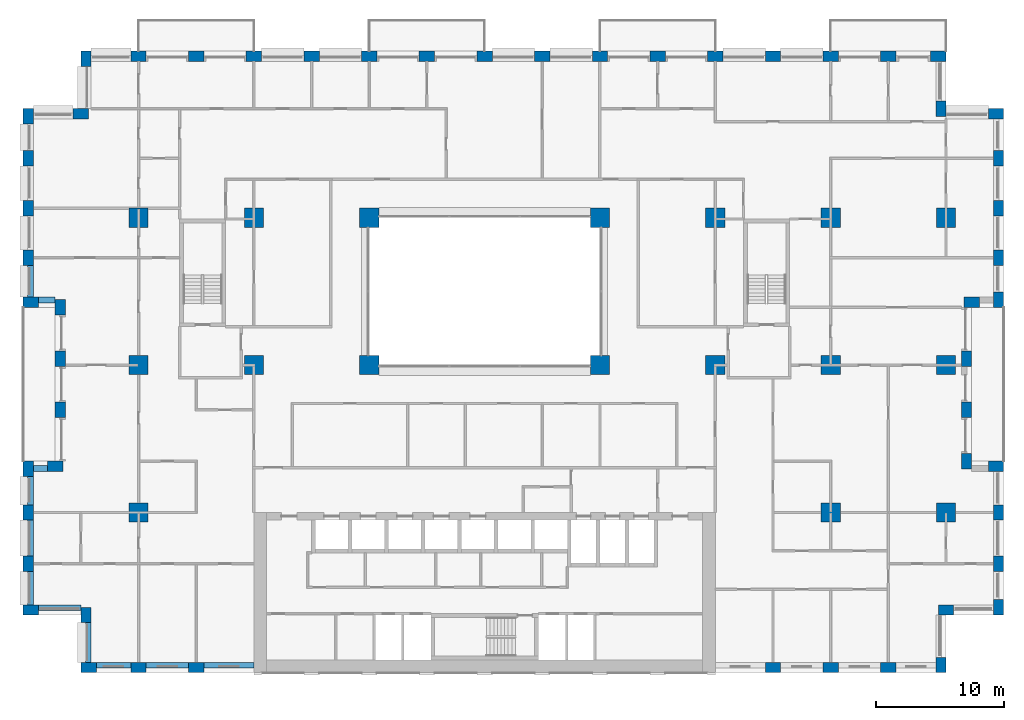
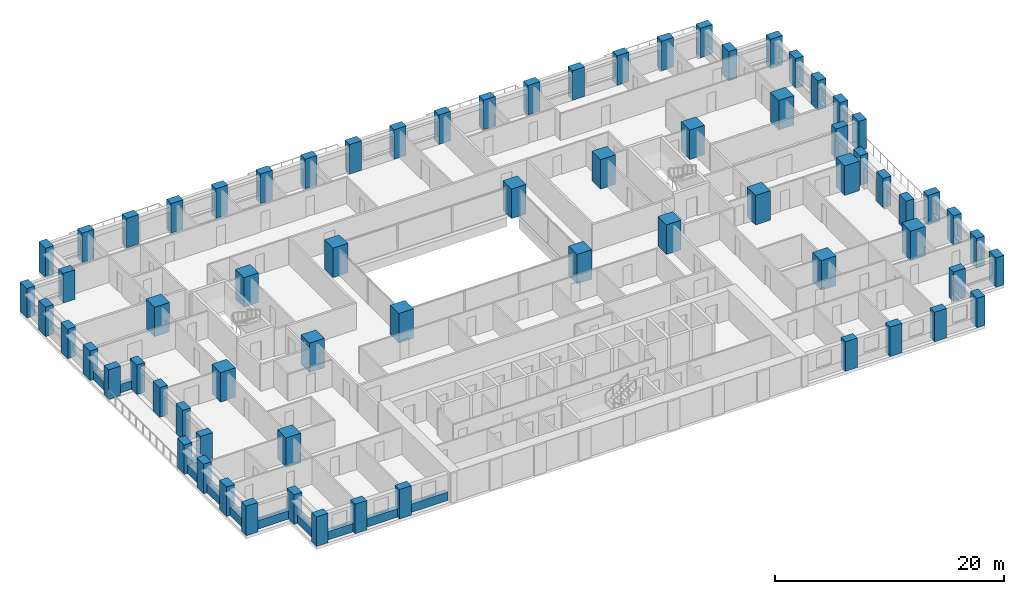
# One storey, part 1 of 21: 70 columns, 11 beams.
"""IFC4 building model written with IfcOpenShell, lengths in metres."""

from ifc_helpers import new_model, si_unit, direction, frame, origin, origin_2d, place, context, subcontext, project, spatial, rectangle, extrude, material, material_profile, profile_set, type_object, element, save


model = new_model("IFC4")

# Units and contexts
model_context = context("Model", 3, precision=1e-05, world=origin(), true_north=direction((0.0, 1.0)))
body_context = subcontext(model_context, "Body", "Model", "MODEL_VIEW")
ifc_project = project(units=[si_unit("LENGTHUNIT", "METRE"), si_unit("AREAUNIT", "SQUARE_METRE"), si_unit("VOLUMEUNIT", "CUBIC_METRE"), si_unit("PLANEANGLEUNIT", "RADIAN"), si_unit("MASSUNIT", "GRAM", prefix="KILO")], contexts=[model_context])

# Site, building, storey
site_placement = place(None, origin())
site = spatial("IfcSite", under=ifc_project, at=site_placement, CompositionType="ELEMENT")
building_placement = place(site_placement, origin())
building = spatial("IfcBuilding", under=site, at=building_placement, Name="Brigalow Station Residences", CompositionType="ELEMENT")
storey_placement = place(building_placement, frame((0.0, 0.0, 51.0)))
storey = spatial("IfcBuildingStorey", under=building, at=storey_placement, Name="L14", CompositionType="ELEMENT", Elevation=51.0)

# Columns
ifc_material_1 = material(Name="Concrete C80", Category="concrete")
ifc_material_profile_1 = material_profile(ifc_material_1, rectangle(XDim=1.5, YDim=1.5, at=origin_2d()), Name="RC1500x1500")
ifc_profile_set_1 = profile_set([ifc_material_profile_1], Name="Concrete C80")
column_type_1 = type_object("IfcColumnType", Name="COLUMN 1500x1500 C80", PredefinedType="COLUMN", material=ifc_profile_set_1)
for number, where, z_axis, x_axis, name in (
    (1, (9.0, 24.0, 0.0), (0.0, 0.0, 1.0), (1.0, 0.0, 0.0), "COLUMN C1 L14"),
    (2, (18.0, 24.0, 0.0), (0.0, 0.0, 1.0), (1.0, 0.0, 0.0), "COLUMN C2 L14"),
    (3, (27.0, 24.0, 0.0), (0.0, 0.0, 1.0), (1.0, 0.0, 0.0), "COLUMN C3 L14"),
    (4, (45.0, 24.0, 0.0), (0.0, 0.0, 1.0), (1.0, 0.0, 0.0), "COLUMN C5 L14"),
    (5, (54.0, 24.0, 0.0), (0.0, 0.0, 1.0), (1.0, 0.0, 0.0), "COLUMN C6 L14"),
    (6, (63.0, 24.0, 0.0), (0.0, 0.0, 1.0), (1.0, 0.0, 0.0), "COLUMN C7 L14"),
    (7, (72.0, 24.0, 0.0), (0.0, 0.0, 1.0), (1.0, 0.0, 0.0), "COLUMN C8 L14"),
    (8, (9.0, 35.5, 0.0), (0.0, 0.0, 1.0), (1.0, 0.0, 0.0), "COLUMN D1 L14"),
    (9, (18.0, 35.5, 0.0), (0.0, 0.0, 1.0), (1.0, 0.0, 0.0), "COLUMN D2 L14"),
    (10, (27.0, 35.5, 0.0), (0.0, 0.0, 1.0), (1.0, 0.0, 0.0), "COLUMN D3 L14"),
    (11, (45.0, 35.5, 0.0), (0.0, 0.0, 1.0), (1.0, 0.0, 0.0), "COLUMN D5 L14"),
    (12, (54.0, 35.5, 0.0), (0.0, 0.0, 1.0), (1.0, 0.0, 0.0), "COLUMN D6 L14"),
    (13, (63.0, 35.5, 0.0), (0.0, 0.0, 1.0), (1.0, 0.0, 0.0), "COLUMN D7 L14"),
    (14, (72.0, 35.5, 0.0), (0.0, 0.0, 1.0), (1.0, 0.0, 0.0), "COLUMN D8 L14"),
    (15, (9.0, 12.5, 0.0), (0.0, 0.0, 1.0), (1.0, 0.0, 0.0), "COLUMN B1 L14"),
    (16, (63.0, 12.5, 0.0), (0.0, 0.0, 1.0), (1.0, 0.0, 0.0), "COLUMN B7 L14"),
    (17, (72.0, 12.5, 0.0), (0.0, 0.0, 1.0), (1.0, 0.0, 0.0), "COLUMN B8 L14"),
):
    element("IfcColumn", number, at=place(storey_placement, frame(where, z_axis=z_axis, x_axis=x_axis)), inside=storey, type_object=column_type_1, Name=name, PredefinedType="COLUMN", context=body_context, shape_type="SweptSolid", body=[
        extrude(rectangle(XDim=1.5, YDim=1.5, at=origin_2d()), origin(), (0.0, 0.0, 1.0), 3.14990234375),
    ])
ifc_material_2 = material(Name="Concrete C80", Category="concrete")
ifc_material_profile_2 = material_profile(ifc_material_2, rectangle(XDim=1.199951171875, YDim=0.800048828125, at=origin_2d()), Name="RC1200x800")
ifc_profile_set_2 = profile_set([ifc_material_profile_2], Name="Concrete C80")
column_type_2 = type_object("IfcColumnType", Name="PIER 1200x800 C80", PredefinedType="USERDEFINED", material=ifc_profile_set_2)
for number, where, z_axis, x_axis, name in (
    (18, (5.10009765625, 0.39990234375, 0.0), (0.0, 0.0, 1.0), (1.0, 0.0, 0.0), "PIER S-1 L14"),
    (19, (9.0, 0.39990234375, 0.0), (0.0, 0.0, 1.0), (1.0, 0.0, 0.0), "PIER S-2 L14"),
    (20, (13.5, 0.39990234375, 0.0), (0.0, 0.0, 1.0), (1.0, 0.0, 0.0), "PIER S-3 L14"),
    (21, (58.5, 0.39990234375, 0.0), (0.0, 0.0, 1.0), (1.0, 0.0, 0.0), "PIER S-13 L14"),
    (22, (63.0, 0.39990234375, 0.0), (0.0, 0.0, 1.0), (1.0, 0.0, 0.0), "PIER S-14 L14"),
    (23, (67.5, 0.39990234375, 0.0), (0.0, 0.0, 1.0), (1.0, 0.0, 0.0), "PIER S-15 L14"),
    (24, (71.60009765625, 0.60009765625, 0.0), (0.0, 0.0, 1.0), (0.0, 1.0, 0.0), "PIER SE1-1 L14"),
    (25, (72.0, 4.89990234375, 0.0), (0.0, 0.0, 1.0), (1.0, 0.0, 0.0), "PIER SE2-1 L14"),
    (26, (76.10009765625, 5.10009765625, 0.0), (0.0, 0.0, 1.0), (0.0, 1.0, 0.0), "PIER E1-1 L14"),
    (27, (76.10009765625, 8.5, 0.0), (0.0, 0.0, 1.0), (0.0, 1.0, 0.0), "PIER E1-2 L14"),
    (28, (76.10009765625, 12.5, 0.0), (0.0, 0.0, 1.0), (0.0, 1.0, 0.0), "PIER E1-3 L14"),
    (29, (75.89990234375, 16.10009765625, 0.0), (0.0, 0.0, 1.0), (-1.0, 0.0, 0.0), "PIER EL1-1 L14"),
    (30, (73.60009765625, 16.5, 0.0), (0.0, 0.0, 1.0), (0.0, 1.0, 0.0), "PIER EL2-1 L14"),
    (31, (73.60009765625, 20.5, 0.0), (0.0, 0.0, 1.0), (0.0, 1.0, 0.0), "PIER EL2-2 L14"),
    (32, (73.60009765625, 24.5, 0.0), (0.0, 0.0, 1.0), (0.0, 1.0, 0.0), "PIER EL2-3 L14"),
    (33, (74.0, 28.89990234375, 0.0), (0.0, 0.0, 1.0), (1.0, 0.0, 0.0), "PIER EL3-1 L14"),
    (34, (76.10009765625, 29.10009765625, 0.0), (0.0, 0.0, 1.0), (0.0, 1.0, 0.0), "PIER E2-1 L14"),
    (35, (76.10009765625, 32.375, 0.0), (0.0, 0.0, 1.0), (0.0, 1.0, 0.0), "PIER E2-2 L14"),
    (36, (76.10009765625, 36.25, 0.0), (0.0, 0.0, 1.0), (0.0, 1.0, 0.0), "PIER E2-3 L14"),
    (37, (76.10009765625, 40.125, 0.0), (0.0, 0.0, 1.0), (0.0, 1.0, 0.0), "PIER E2-4 L14"),
    (38, (75.89990234375, 43.60009765625, 0.0), (0.0, 0.0, 1.0), (-1.0, 0.0, 0.0), "PIER NE1-1 L14"),
    (39, (71.60009765625, 44.0, 0.0), (0.0, 0.0, 1.0), (0.0, 1.0, 0.0), "PIER NE2-1 L14"),
    (40, (71.39990234375, 48.10009765625, 0.0), (0.0, 0.0, 1.0), (-1.0, 0.0, 0.0), "PIER N-1 L14"),
    (41, (67.5, 48.10009765625, 0.0), (0.0, 0.0, 1.0), (-1.0, 0.0, 0.0), "PIER N-2 L14"),
    (42, (63.0, 48.10009765625, 0.0), (0.0, 0.0, 1.0), (-1.0, 0.0, 0.0), "PIER N-3 L14"),
    (43, (58.5, 48.10009765625, 0.0), (0.0, 0.0, 1.0), (-1.0, 0.0, 0.0), "PIER N-4 L14"),
    (44, (54.0, 48.10009765625, 0.0), (0.0, 0.0, 1.0), (-1.0, 0.0, 0.0), "PIER N-5 L14"),
    (45, (49.5, 48.10009765625, 0.0), (0.0, 0.0, 1.0), (-1.0, 0.0, 0.0), "PIER N-6 L14"),
    (46, (45.0, 48.10009765625, 0.0), (0.0, 0.0, 1.0), (-1.0, 0.0, 0.0), "PIER N-7 L14"),
    (47, (40.5, 48.10009765625, 0.0), (0.0, 0.0, 1.0), (-1.0, 0.0, 0.0), "PIER N-8 L14"),
    (48, (36.0, 48.10009765625, 0.0), (0.0, 0.0, 1.0), (-1.0, 0.0, 0.0), "PIER N-9 L14"),
    (49, (31.5, 48.10009765625, 0.0), (0.0, 0.0, 1.0), (-1.0, 0.0, 0.0), "PIER N-10 L14"),
    (50, (27.0, 48.10009765625, 0.0), (0.0, 0.0, 1.0), (-1.0, 0.0, 0.0), "PIER N-11 L14"),
    (51, (22.5, 48.10009765625, 0.0), (0.0, 0.0, 1.0), (-1.0, 0.0, 0.0), "PIER N-12 L14"),
    (52, (18.0, 48.10009765625, 0.0), (0.0, 0.0, 1.0), (-1.0, 0.0, 0.0), "PIER N-13 L14"),
    (53, (13.5, 48.10009765625, 0.0), (0.0, 0.0, 1.0), (-1.0, 0.0, 0.0), "PIER N-14 L14"),
    (54, (9.0, 48.10009765625, 0.0), (0.0, 0.0, 1.0), (-1.0, 0.0, 0.0), "PIER N-15 L14"),
    (55, (4.89990234375, 47.89990234375, 0.0), (0.0, 0.0, 1.0), (0.0, -1.0, 0.0), "PIER NW1-1 L14"),
    (56, (4.5, 43.60009765625, 0.0), (0.0, 0.0, 1.0), (-1.0, 0.0, 0.0), "PIER NW2-1 L14"),
    (57, (0.39990234375, 43.39990234375, 0.0), (0.0, 0.0, 1.0), (0.0, -1.0, 0.0), "PIER W2-1 L14"),
    (58, (0.39990234375, 40.125, 0.0), (0.0, 0.0, 1.0), (0.0, -1.0, 0.0), "PIER W2-2 L14"),
    (59, (0.39990234375, 36.25, 0.0), (0.0, 0.0, 1.0), (0.0, -1.0, 0.0), "PIER W2-3 L14"),
    (60, (0.39990234375, 32.375, 0.0), (0.0, 0.0, 1.0), (0.0, -1.0, 0.0), "PIER W2-4 L14"),
    (61, (0.60009765625, 28.89990234375, 0.0), (0.0, 0.0, 1.0), (1.0, 0.0, 0.0), "PIER WL1-1 L14"),
    (62, (2.89990234375, 28.5, 0.0), (0.0, 0.0, 1.0), (0.0, -1.0, 0.0), "PIER WL2-1 L14"),
    (63, (2.89990234375, 24.5, 0.0), (0.0, 0.0, 1.0), (0.0, -1.0, 0.0), "PIER WL2-2 L14"),
    (64, (2.89990234375, 20.5, 0.0), (0.0, 0.0, 1.0), (0.0, -1.0, 0.0), "PIER WL2-3 L14"),
    (65, (2.5, 16.10009765625, 0.0), (0.0, 0.0, 1.0), (-1.0, 0.0, 0.0), "PIER WL3-1 L14"),
    (66, (0.39990234375, 15.89990234375, 0.0), (0.0, 0.0, 1.0), (0.0, -1.0, 0.0), "PIER W1-1 L14"),
    (67, (0.39990234375, 12.5, 0.0), (0.0, 0.0, 1.0), (0.0, -1.0, 0.0), "PIER W1-2 L14"),
    (68, (0.39990234375, 8.5, 0.0), (0.0, 0.0, 1.0), (0.0, -1.0, 0.0), "PIER W1-3 L14"),
    (69, (0.60009765625, 4.89990234375, 0.0), (0.0, 0.0, 1.0), (1.0, 0.0, 0.0), "PIER SW1-1 L14"),
    (70, (4.89990234375, 4.5, 0.0), (0.0, 0.0, 1.0), (0.0, -1.0, 0.0), "PIER SW2-1 L14"),
):
    element("IfcColumn", number, at=place(storey_placement, frame(where, z_axis=z_axis, x_axis=x_axis)), inside=storey, type_object=column_type_2, Name=name, ObjectType="PIER", PredefinedType="USERDEFINED", context=body_context, shape_type="SweptSolid", body=[
        extrude(rectangle(XDim=1.199951171875, YDim=0.800048828125, at=origin_2d()), origin(), (0.0, 0.0, 1.0), 3.14990234375),
    ])

# Beams
ifc_material_3 = material(Name="Concrete C65", Category="concrete")
ifc_material_profile_3 = material_profile(ifc_material_3, rectangle(XDim=0.449951171875, YDim=0.89990234375, at=origin_2d()), Name="RC450x900")
ifc_profile_set_3 = profile_set([ifc_material_profile_3], Name="Concrete C65")
beam_type = type_object("IfcBeamType", Name="SPANDREL BEAM 450x900 C65", PredefinedType="SPANDREL", material=ifc_profile_set_3)
beam_1_placement = place(storey_placement, frame((5.699951171875, 0.574951171875, 0.449951171875), z_axis=(1.0, 0.0, 0.0), x_axis=(0.0, 1.0, 0.0)))
element("IfcBeam", 71, at=beam_1_placement, inside=storey, type_object=beam_type, Name="L14/spandrel/W-L14-1", PredefinedType="SPANDREL", context=body_context, shape_type="SweptSolid", body=[
    extrude(rectangle(XDim=0.449951171875, YDim=0.89990234375, at=origin_2d()), origin(), (0.0, 0.0, 1.0), 2.699951171875),
])
beam_2_placement = place(storey_placement, frame((9.60009765625, 0.574951171875, 0.449951171875), z_axis=(1.0, 0.0, 0.0), x_axis=(0.0, 1.0, 0.0)))
element("IfcBeam", 72, at=beam_2_placement, inside=storey, type_object=beam_type, Name="L14/spandrel/W-L14-2", PredefinedType="SPANDREL", context=body_context, shape_type="SweptSolid", body=[
    extrude(rectangle(XDim=0.449951171875, YDim=0.89990234375, at=origin_2d()), origin(), (0.0, 0.0, 1.0), 3.2998046875),
])
beam_3_placement = place(storey_placement, frame((14.10009765625, 0.574951171875, 0.449951171875), z_axis=(1.0, 0.0, 0.0), x_axis=(0.0, 1.0, 0.0)))
element("IfcBeam", 73, at=beam_3_placement, inside=storey, type_object=beam_type, Name="L14/spandrel/W-L14-3", PredefinedType="SPANDREL", context=body_context, shape_type="SweptSolid", body=[
    extrude(rectangle(XDim=0.449951171875, YDim=0.89990234375, at=origin_2d()), origin(), (0.0, 0.0, 1.0), 3.89990234375),
])
beam_4_placement = place(storey_placement, frame((0.574951171875, 31.77490234375, 0.449951171875), z_axis=(0.0, -1.0, 0.0), x_axis=(1.0, 0.0, 0.0)))
element("IfcBeam", 74, at=beam_4_placement, inside=storey, type_object=beam_type, Name="L14/spandrel/W-L14-45", PredefinedType="SPANDREL", context=body_context, shape_type="SweptSolid", body=[
    extrude(rectangle(XDim=0.449951171875, YDim=0.89990234375, at=origin_2d()), origin(), (0.0, 0.0, 1.0), 2.474853515625),
])
beam_5_placement = place(storey_placement, frame((1.199951171875, 29.074951171875, 0.449951171875), z_axis=(1.0, 0.0, 0.0), x_axis=(0.0, 1.0, 0.0)))
element("IfcBeam", 75, at=beam_5_placement, inside=storey, type_object=beam_type, Name="L14/spandrel/W-L14-46", PredefinedType="SPANDREL", context=body_context, shape_type="SweptSolid", body=[
    extrude(rectangle(XDim=0.449951171875, YDim=0.89990234375, at=origin_2d()), origin(), (0.0, 0.0, 1.0), 1.300048828125),
])
beam_6_placement = place(storey_placement, frame((1.89990234375, 15.925048828125, 0.449951171875), z_axis=(-1.0, 0.0, 0.0), x_axis=(0.0, -1.0, 0.0)))
element("IfcBeam", 76, at=beam_6_placement, inside=storey, type_object=beam_type, Name="L14/spandrel/W-L14-50", PredefinedType="SPANDREL", context=body_context, shape_type="SweptSolid", body=[
    extrude(rectangle(XDim=0.449951171875, YDim=0.89990234375, at=origin_2d()), origin(), (0.0, 0.0, 1.0), 1.099853515625),
])
beam_7_placement = place(storey_placement, frame((0.574951171875, 15.300048828125, 0.449951171875), z_axis=(0.0, -1.0, 0.0), x_axis=(1.0, 0.0, 0.0)))
element("IfcBeam", 77, at=beam_7_placement, inside=storey, type_object=beam_type, Name="L14/spandrel/W-L14-51", PredefinedType="SPANDREL", context=body_context, shape_type="SweptSolid", body=[
    extrude(rectangle(XDim=0.449951171875, YDim=0.89990234375, at=origin_2d()), origin(), (0.0, 0.0, 1.0), 2.199951171875),
])
beam_8_placement = place(storey_placement, frame((0.574951171875, 11.89990234375, 0.449951171875), z_axis=(0.0, -1.0, 0.0), x_axis=(1.0, 0.0, 0.0)))
element("IfcBeam", 78, at=beam_8_placement, inside=storey, type_object=beam_type, Name="L14/spandrel/W-L14-52", PredefinedType="SPANDREL", context=body_context, shape_type="SweptSolid", body=[
    extrude(rectangle(XDim=0.449951171875, YDim=0.89990234375, at=origin_2d()), origin(), (0.0, 0.0, 1.0), 2.7998046875),
])
beam_9_placement = place(storey_placement, frame((0.574951171875, 7.89990234375, 0.449951171875), z_axis=(0.0, -1.0, 0.0), x_axis=(1.0, 0.0, 0.0)))
element("IfcBeam", 79, at=beam_9_placement, inside=storey, type_object=beam_type, Name="L14/spandrel/W-L14-53", PredefinedType="SPANDREL", context=body_context, shape_type="SweptSolid", body=[
    extrude(rectangle(XDim=0.449951171875, YDim=0.89990234375, at=origin_2d()), origin(), (0.0, 0.0, 1.0), 2.599853515625),
])
beam_10_placement = place(storey_placement, frame((1.199951171875, 5.074951171875, 0.449951171875), z_axis=(1.0, 0.0, 0.0), x_axis=(0.0, 1.0, 0.0)))
element("IfcBeam", 80, at=beam_10_placement, inside=storey, type_object=beam_type, Name="L14/spandrel/W-L14-54", PredefinedType="SPANDREL", context=body_context, shape_type="SweptSolid", body=[
    extrude(rectangle(XDim=0.449951171875, YDim=0.89990234375, at=origin_2d()), origin(), (0.0, 0.0, 1.0), 3.300048828125),
])
beam_11_placement = place(storey_placement, frame((5.074951171875, 3.89990234375, 0.449951171875), z_axis=(0.0, -1.0, 0.0), x_axis=(1.0, 0.0, 0.0)))
element("IfcBeam", 81, at=beam_11_placement, inside=storey, type_object=beam_type, Name="L14/spandrel/W-L14-55", PredefinedType="SPANDREL", context=body_context, shape_type="SweptSolid", body=[
    extrude(rectangle(XDim=0.449951171875, YDim=0.89990234375, at=origin_2d()), origin(), (0.0, 0.0, 1.0), 3.099853515625),
])

save(model, "model.ifc")
